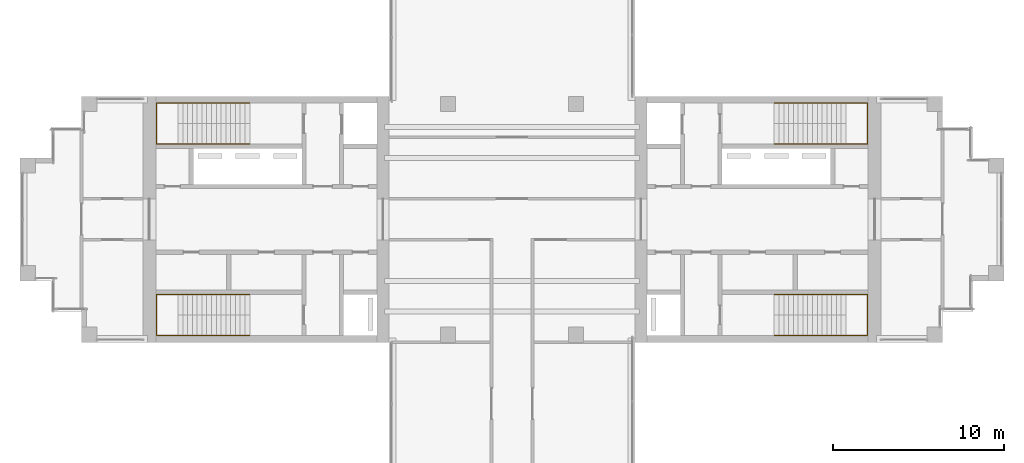
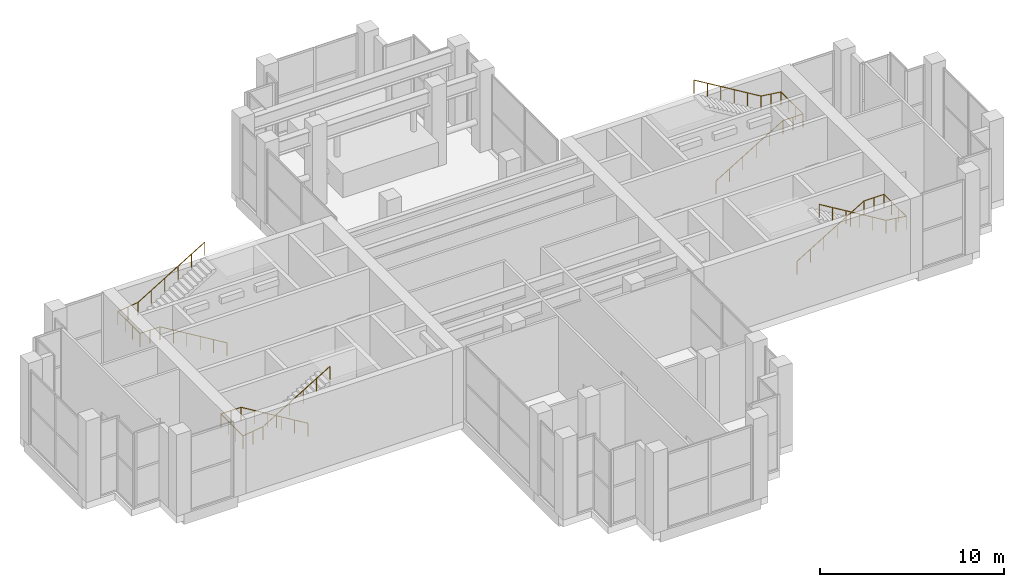
# One storey, part 13 of 13: 4 railings.
"""IFC4 building model written with IfcOpenShell, lengths in metres."""

from ifc_helpers import new_model, si_unit, direction, frame, origin, origin_2d, place, context, subcontext, project, spatial, circle, extrude, material, type_object, element, save


model = new_model("IFC4")

# Units and contexts
model_context = context("Model", 3, precision=1e-05, world=origin(), true_north=direction((0.0, 1.0)))
body_context = subcontext(model_context, "Body", "Model", "MODEL_VIEW")
ifc_project = project(units=[si_unit("LENGTHUNIT", "METRE"), si_unit("AREAUNIT", "SQUARE_METRE"), si_unit("VOLUMEUNIT", "CUBIC_METRE"), si_unit("PLANEANGLEUNIT", "RADIAN"), si_unit("MASSUNIT", "GRAM", prefix="KILO")], contexts=[model_context])

# Site, building, storey
site_placement = place(None, origin())
site = spatial("IfcSite", under=ifc_project, at=site_placement, CompositionType="ELEMENT")
building_placement = place(site_placement, origin())
building = spatial("IfcBuilding", under=site, at=building_placement, Name="Fustian Cross Tower", CompositionType="ELEMENT")
storey_placement = place(building_placement, frame((0.0, 0.0, 242.10009765625)))
storey = spatial("IfcBuildingStorey", under=building, at=storey_placement, Name="L76", CompositionType="ELEMENT", Elevation=242.10009765625)

# Railings
ifc_material = material(Name="Stainless steel", Category="steel")
railing_type = type_object("IfcRailingType", Name="STAIR HANDRAIL", PredefinedType="HANDRAIL", material=ifc_material)
railing_1_placement = place(storey_placement, frame((15.35009765625, 4.39990234375, 0.168701171875)))
element("IfcRailing", 1, at=railing_1_placement, inside=storey, type_object=railing_type, Name="Stair ST1 handrail 1", PredefinedType="HANDRAIL", context=body_context, shape_type="SweptSolid", body=[
    extrude(circle(Radius=0.02490234375, at=origin_2d()), frame((0.0, 0.0, 0.875), z_axis=(0.856476492594, 0.0, 0.516186030065), x_axis=(0.0, 1.0, 0.0)), (0.0, 0.0, 1.0), 4.90380859375),
    extrude(circle(Radius=0.02490234375, at=origin_2d()), frame((4.199951171875, 0.0, 3.40625), z_axis=(1.0, 0.0, 0.0), x_axis=(0.0, 1.0, 0.0)), (0.0, 0.0, 1.0), 1.260009765625),
    extrude(circle(Radius=0.02490234375, at=origin_2d()), frame((5.4599609375, 0.0, 3.40625), z_axis=(0.0, 1.0, 0.0), x_axis=(-1.0, 0.0, 0.0)), (0.0, 0.0, 1.0), 2.400146484375),
    extrude(circle(Radius=0.02490234375, at=origin_2d()), frame((5.4599609375, 2.400146484375, 3.40625), z_axis=(-0.99115563056, 0.0, 0.132704619399), x_axis=(0.0, -1.0, 0.0)), (0.0, 0.0, 1.0), 1.271240234375),
    extrude(circle(Radius=0.02490234375, at=origin_2d()), frame((4.199951171875, 2.400146484375, 3.57470703125), z_axis=(-0.856476492594, 0.0, 0.516186030065), x_axis=(0.0, -1.0, 0.0)), (0.0, 0.0, 1.0), 4.90380859375),
    extrude(circle(Radius=0.02001953125, at=origin_2d()), origin(), (0.0, 0.0, 1.0), 0.849853515625),
    extrude(circle(Radius=0.02001953125, at=origin_2d()), frame((0.840087890625, 0.0, 0.50634765625)), (0.0, 0.0, 1.0), 0.849853515625),
    extrude(circle(Radius=0.02001953125, at=origin_2d()), frame((1.679931640625, 0.0, 1.012451171875)), (0.0, 0.0, 1.0), 0.849853515625),
    extrude(circle(Radius=0.02001953125, at=origin_2d()), frame((2.52001953125, 0.0, 1.518798828125)), (0.0, 0.0, 1.0), 0.849853515625),
    extrude(circle(Radius=0.02001953125, at=origin_2d()), frame((3.35986328125, 0.0, 2.02490234375)), (0.0, 0.0, 1.0), 0.849853515625),
    extrude(circle(Radius=0.02001953125, at=origin_2d()), frame((4.199951171875, 0.0, 2.53125)), (0.0, 0.0, 1.0), 0.849853515625),
    extrude(circle(Radius=0.02001953125, at=origin_2d()), frame((4.830078125, 0.0, 2.53125)), (0.0, 0.0, 1.0), 0.849853515625),
    extrude(circle(Radius=0.02001953125, at=origin_2d()), frame((5.4599609375, 0.0, 2.53125)), (0.0, 0.0, 1.0), 0.849853515625),
    extrude(circle(Radius=0.02001953125, at=origin_2d()), frame((5.4599609375, 0.800048828125, 2.53125)), (0.0, 0.0, 1.0), 0.849853515625),
    extrude(circle(Radius=0.02001953125, at=origin_2d()), frame((5.4599609375, 1.60009765625, 2.53125)), (0.0, 0.0, 1.0), 0.849853515625),
    extrude(circle(Radius=0.02001953125, at=origin_2d()), frame((5.4599609375, 2.400146484375, 2.53125)), (0.0, 0.0, 1.0), 0.849853515625),
    extrude(circle(Radius=0.02001953125, at=origin_2d()), frame((4.830078125, 2.400146484375, 2.61572265625)), (0.0, 0.0, 1.0), 0.849853515625),
    extrude(circle(Radius=0.02001953125, at=origin_2d()), frame((4.199951171875, 2.400146484375, 2.699951171875)), (0.0, 0.0, 1.0), 0.849853515625),
    extrude(circle(Radius=0.02001953125, at=origin_2d()), frame((3.35986328125, 2.400146484375, 3.206298828125)), (0.0, 0.0, 1.0), 0.849853515625),
    extrude(circle(Radius=0.02001953125, at=origin_2d()), frame((2.52001953125, 2.400146484375, 3.71240234375)), (0.0, 0.0, 1.0), 0.849853515625),
    extrude(circle(Radius=0.02001953125, at=origin_2d()), frame((1.679931640625, 2.400146484375, 4.21875)), (0.0, 0.0, 1.0), 0.849853515625),
    extrude(circle(Radius=0.02001953125, at=origin_2d()), frame((0.840087890625, 2.400146484375, 4.724853515625)), (0.0, 0.0, 1.0), 0.849853515625),
    extrude(circle(Radius=0.02001953125, at=origin_2d()), frame((0.0, 2.400146484375, 5.231201171875)), (0.0, 0.0, 1.0), 0.849853515625),
])
railing_2_placement = place(storey_placement, frame((15.35009765625, -4.39990234375, 0.168701171875)))
element("IfcRailing", 2, at=railing_2_placement, inside=storey, type_object=railing_type, Name="Stair ST2 handrail 1", PredefinedType="HANDRAIL", context=body_context, shape_type="SweptSolid", body=[
    extrude(circle(Radius=0.02490234375, at=origin_2d()), frame((0.0, 0.0, 0.875), z_axis=(0.856476492594, 0.0, 0.516186030065), x_axis=(0.0, 1.0, 0.0)), (0.0, 0.0, 1.0), 4.90380859375),
    extrude(circle(Radius=0.02490234375, at=origin_2d()), frame((4.199951171875, 0.0, 3.40625), z_axis=(1.0, 0.0, 0.0), x_axis=(0.0, 1.0, 0.0)), (0.0, 0.0, 1.0), 1.260009765625),
    extrude(circle(Radius=0.02490234375, at=origin_2d()), frame((5.4599609375, 0.0, 3.40625), z_axis=(0.0, -1.0, 0.0), x_axis=(1.0, 0.0, 0.0)), (0.0, 0.0, 1.0), 2.400146484375),
    extrude(circle(Radius=0.02490234375, at=origin_2d()), frame((5.4599609375, -2.400146484375, 3.40625), z_axis=(-0.99115563056, 0.0, 0.132704619399), x_axis=(0.0, -1.0, 0.0)), (0.0, 0.0, 1.0), 1.271240234375),
    extrude(circle(Radius=0.02490234375, at=origin_2d()), frame((4.199951171875, -2.400146484375, 3.57470703125), z_axis=(-0.856476492594, 0.0, 0.516186030065), x_axis=(0.0, -1.0, 0.0)), (0.0, 0.0, 1.0), 4.90380859375),
    extrude(circle(Radius=0.02001953125, at=origin_2d()), origin(), (0.0, 0.0, 1.0), 0.849853515625),
    extrude(circle(Radius=0.02001953125, at=origin_2d()), frame((0.840087890625, 0.0, 0.50634765625)), (0.0, 0.0, 1.0), 0.849853515625),
    extrude(circle(Radius=0.02001953125, at=origin_2d()), frame((1.679931640625, 0.0, 1.012451171875)), (0.0, 0.0, 1.0), 0.849853515625),
    extrude(circle(Radius=0.02001953125, at=origin_2d()), frame((2.52001953125, 0.0, 1.518798828125)), (0.0, 0.0, 1.0), 0.849853515625),
    extrude(circle(Radius=0.02001953125, at=origin_2d()), frame((3.35986328125, 0.0, 2.02490234375)), (0.0, 0.0, 1.0), 0.849853515625),
    extrude(circle(Radius=0.02001953125, at=origin_2d()), frame((4.199951171875, 0.0, 2.53125)), (0.0, 0.0, 1.0), 0.849853515625),
    extrude(circle(Radius=0.02001953125, at=origin_2d()), frame((4.830078125, 0.0, 2.53125)), (0.0, 0.0, 1.0), 0.849853515625),
    extrude(circle(Radius=0.02001953125, at=origin_2d()), frame((5.4599609375, 0.0, 2.53125)), (0.0, 0.0, 1.0), 0.849853515625),
    extrude(circle(Radius=0.02001953125, at=origin_2d()), frame((5.4599609375, -0.800048828125, 2.53125)), (0.0, 0.0, 1.0), 0.849853515625),
    extrude(circle(Radius=0.02001953125, at=origin_2d()), frame((5.4599609375, -1.60009765625, 2.53125)), (0.0, 0.0, 1.0), 0.849853515625),
    extrude(circle(Radius=0.02001953125, at=origin_2d()), frame((5.4599609375, -2.400146484375, 2.53125)), (0.0, 0.0, 1.0), 0.849853515625),
    extrude(circle(Radius=0.02001953125, at=origin_2d()), frame((4.830078125, -2.400146484375, 2.61572265625)), (0.0, 0.0, 1.0), 0.849853515625),
    extrude(circle(Radius=0.02001953125, at=origin_2d()), frame((4.199951171875, -2.400146484375, 2.699951171875)), (0.0, 0.0, 1.0), 0.849853515625),
    extrude(circle(Radius=0.02001953125, at=origin_2d()), frame((3.35986328125, -2.400146484375, 3.206298828125)), (0.0, 0.0, 1.0), 0.849853515625),
    extrude(circle(Radius=0.02001953125, at=origin_2d()), frame((2.52001953125, -2.400146484375, 3.71240234375)), (0.0, 0.0, 1.0), 0.849853515625),
    extrude(circle(Radius=0.02001953125, at=origin_2d()), frame((1.679931640625, -2.400146484375, 4.21875)), (0.0, 0.0, 1.0), 0.849853515625),
    extrude(circle(Radius=0.02001953125, at=origin_2d()), frame((0.840087890625, -2.400146484375, 4.724853515625)), (0.0, 0.0, 1.0), 0.849853515625),
    extrude(circle(Radius=0.02001953125, at=origin_2d()), frame((0.0, -2.400146484375, 5.231201171875)), (0.0, 0.0, 1.0), 0.849853515625),
])
railing_3_placement = place(storey_placement, frame((-15.35009765625, 4.39990234375, 0.168701171875)))
element("IfcRailing", 3, at=railing_3_placement, inside=storey, type_object=railing_type, Name="Stair ST3 handrail 1", PredefinedType="HANDRAIL", context=body_context, shape_type="SweptSolid", body=[
    extrude(circle(Radius=0.02490234375, at=origin_2d()), frame((0.0, 0.0, 0.875), z_axis=(-0.856476492594, 0.0, 0.516186030065), x_axis=(0.0, -1.0, 0.0)), (0.0, 0.0, 1.0), 4.90380859375),
    extrude(circle(Radius=0.02490234375, at=origin_2d()), frame((-4.199951171875, 0.0, 3.40625), z_axis=(-1.0, 0.0, 0.0), x_axis=(0.0, -1.0, 0.0)), (0.0, 0.0, 1.0), 1.260009765625),
    extrude(circle(Radius=0.02490234375, at=origin_2d()), frame((-5.4599609375, 0.0, 3.40625), z_axis=(0.0, 1.0, 0.0), x_axis=(-1.0, 0.0, 0.0)), (0.0, 0.0, 1.0), 2.400146484375),
    extrude(circle(Radius=0.02490234375, at=origin_2d()), frame((-5.4599609375, 2.400146484375, 3.40625), z_axis=(0.99115563056, 0.0, 0.132704619399), x_axis=(0.0, 1.0, 0.0)), (0.0, 0.0, 1.0), 1.271240234375),
    extrude(circle(Radius=0.02490234375, at=origin_2d()), frame((-4.199951171875, 2.400146484375, 3.57470703125), z_axis=(0.856476492594, 0.0, 0.516186030065), x_axis=(0.0, 1.0, 0.0)), (0.0, 0.0, 1.0), 4.90380859375),
    extrude(circle(Radius=0.02001953125, at=origin_2d()), origin(), (0.0, 0.0, 1.0), 0.849853515625),
    extrude(circle(Radius=0.02001953125, at=origin_2d()), frame((-0.840087890625, 0.0, 0.50634765625)), (0.0, 0.0, 1.0), 0.849853515625),
    extrude(circle(Radius=0.02001953125, at=origin_2d()), frame((-1.679931640625, 0.0, 1.012451171875)), (0.0, 0.0, 1.0), 0.849853515625),
    extrude(circle(Radius=0.02001953125, at=origin_2d()), frame((-2.52001953125, 0.0, 1.518798828125)), (0.0, 0.0, 1.0), 0.849853515625),
    extrude(circle(Radius=0.02001953125, at=origin_2d()), frame((-3.35986328125, 0.0, 2.02490234375)), (0.0, 0.0, 1.0), 0.849853515625),
    extrude(circle(Radius=0.02001953125, at=origin_2d()), frame((-4.199951171875, 0.0, 2.53125)), (0.0, 0.0, 1.0), 0.849853515625),
    extrude(circle(Radius=0.02001953125, at=origin_2d()), frame((-4.830078125, 0.0, 2.53125)), (0.0, 0.0, 1.0), 0.849853515625),
    extrude(circle(Radius=0.02001953125, at=origin_2d()), frame((-5.4599609375, 0.0, 2.53125)), (0.0, 0.0, 1.0), 0.849853515625),
    extrude(circle(Radius=0.02001953125, at=origin_2d()), frame((-5.4599609375, 0.800048828125, 2.53125)), (0.0, 0.0, 1.0), 0.849853515625),
    extrude(circle(Radius=0.02001953125, at=origin_2d()), frame((-5.4599609375, 1.60009765625, 2.53125)), (0.0, 0.0, 1.0), 0.849853515625),
    extrude(circle(Radius=0.02001953125, at=origin_2d()), frame((-5.4599609375, 2.400146484375, 2.53125)), (0.0, 0.0, 1.0), 0.849853515625),
    extrude(circle(Radius=0.02001953125, at=origin_2d()), frame((-4.830078125, 2.400146484375, 2.61572265625)), (0.0, 0.0, 1.0), 0.849853515625),
    extrude(circle(Radius=0.02001953125, at=origin_2d()), frame((-4.199951171875, 2.400146484375, 2.699951171875)), (0.0, 0.0, 1.0), 0.849853515625),
    extrude(circle(Radius=0.02001953125, at=origin_2d()), frame((-3.35986328125, 2.400146484375, 3.206298828125)), (0.0, 0.0, 1.0), 0.849853515625),
    extrude(circle(Radius=0.02001953125, at=origin_2d()), frame((-2.52001953125, 2.400146484375, 3.71240234375)), (0.0, 0.0, 1.0), 0.849853515625),
    extrude(circle(Radius=0.02001953125, at=origin_2d()), frame((-1.679931640625, 2.400146484375, 4.21875)), (0.0, 0.0, 1.0), 0.849853515625),
    extrude(circle(Radius=0.02001953125, at=origin_2d()), frame((-0.840087890625, 2.400146484375, 4.724853515625)), (0.0, 0.0, 1.0), 0.849853515625),
    extrude(circle(Radius=0.02001953125, at=origin_2d()), frame((0.0, 2.400146484375, 5.231201171875)), (0.0, 0.0, 1.0), 0.849853515625),
])
railing_4_placement = place(storey_placement, frame((-15.35009765625, -4.39990234375, 0.168701171875)))
element("IfcRailing", 4, at=railing_4_placement, inside=storey, type_object=railing_type, Name="Stair ST4 handrail 1", PredefinedType="HANDRAIL", context=body_context, shape_type="SweptSolid", body=[
    extrude(circle(Radius=0.02490234375, at=origin_2d()), frame((0.0, 0.0, 0.875), z_axis=(-0.856476492594, 0.0, 0.516186030065), x_axis=(0.0, -1.0, 0.0)), (0.0, 0.0, 1.0), 4.90380859375),
    extrude(circle(Radius=0.02490234375, at=origin_2d()), frame((-4.199951171875, 0.0, 3.40625), z_axis=(-1.0, 0.0, 0.0), x_axis=(0.0, -1.0, 0.0)), (0.0, 0.0, 1.0), 1.260009765625),
    extrude(circle(Radius=0.02490234375, at=origin_2d()), frame((-5.4599609375, 0.0, 3.40625), z_axis=(0.0, -1.0, 0.0), x_axis=(1.0, 0.0, 0.0)), (0.0, 0.0, 1.0), 2.400146484375),
    extrude(circle(Radius=0.02490234375, at=origin_2d()), frame((-5.4599609375, -2.400146484375, 3.40625), z_axis=(0.99115563056, 0.0, 0.132704619399), x_axis=(0.0, 1.0, 0.0)), (0.0, 0.0, 1.0), 1.271240234375),
    extrude(circle(Radius=0.02490234375, at=origin_2d()), frame((-4.199951171875, -2.400146484375, 3.57470703125), z_axis=(0.856476492594, 0.0, 0.516186030065), x_axis=(0.0, 1.0, 0.0)), (0.0, 0.0, 1.0), 4.90380859375),
    extrude(circle(Radius=0.02001953125, at=origin_2d()), origin(), (0.0, 0.0, 1.0), 0.849853515625),
    extrude(circle(Radius=0.02001953125, at=origin_2d()), frame((-0.840087890625, 0.0, 0.50634765625)), (0.0, 0.0, 1.0), 0.849853515625),
    extrude(circle(Radius=0.02001953125, at=origin_2d()), frame((-1.679931640625, 0.0, 1.012451171875)), (0.0, 0.0, 1.0), 0.849853515625),
    extrude(circle(Radius=0.02001953125, at=origin_2d()), frame((-2.52001953125, 0.0, 1.518798828125)), (0.0, 0.0, 1.0), 0.849853515625),
    extrude(circle(Radius=0.02001953125, at=origin_2d()), frame((-3.35986328125, 0.0, 2.02490234375)), (0.0, 0.0, 1.0), 0.849853515625),
    extrude(circle(Radius=0.02001953125, at=origin_2d()), frame((-4.199951171875, 0.0, 2.53125)), (0.0, 0.0, 1.0), 0.849853515625),
    extrude(circle(Radius=0.02001953125, at=origin_2d()), frame((-4.830078125, 0.0, 2.53125)), (0.0, 0.0, 1.0), 0.849853515625),
    extrude(circle(Radius=0.02001953125, at=origin_2d()), frame((-5.4599609375, 0.0, 2.53125)), (0.0, 0.0, 1.0), 0.849853515625),
    extrude(circle(Radius=0.02001953125, at=origin_2d()), frame((-5.4599609375, -0.800048828125, 2.53125)), (0.0, 0.0, 1.0), 0.849853515625),
    extrude(circle(Radius=0.02001953125, at=origin_2d()), frame((-5.4599609375, -1.60009765625, 2.53125)), (0.0, 0.0, 1.0), 0.849853515625),
    extrude(circle(Radius=0.02001953125, at=origin_2d()), frame((-5.4599609375, -2.400146484375, 2.53125)), (0.0, 0.0, 1.0), 0.849853515625),
    extrude(circle(Radius=0.02001953125, at=origin_2d()), frame((-4.830078125, -2.400146484375, 2.61572265625)), (0.0, 0.0, 1.0), 0.849853515625),
    extrude(circle(Radius=0.02001953125, at=origin_2d()), frame((-4.199951171875, -2.400146484375, 2.699951171875)), (0.0, 0.0, 1.0), 0.849853515625),
    extrude(circle(Radius=0.02001953125, at=origin_2d()), frame((-3.35986328125, -2.400146484375, 3.206298828125)), (0.0, 0.0, 1.0), 0.849853515625),
    extrude(circle(Radius=0.02001953125, at=origin_2d()), frame((-2.52001953125, -2.400146484375, 3.71240234375)), (0.0, 0.0, 1.0), 0.849853515625),
    extrude(circle(Radius=0.02001953125, at=origin_2d()), frame((-1.679931640625, -2.400146484375, 4.21875)), (0.0, 0.0, 1.0), 0.849853515625),
    extrude(circle(Radius=0.02001953125, at=origin_2d()), frame((-0.840087890625, -2.400146484375, 4.724853515625)), (0.0, 0.0, 1.0), 0.849853515625),
    extrude(circle(Radius=0.02001953125, at=origin_2d()), frame((0.0, -2.400146484375, 5.231201171875)), (0.0, 0.0, 1.0), 0.849853515625),
])

save(model, "model.ifc")
